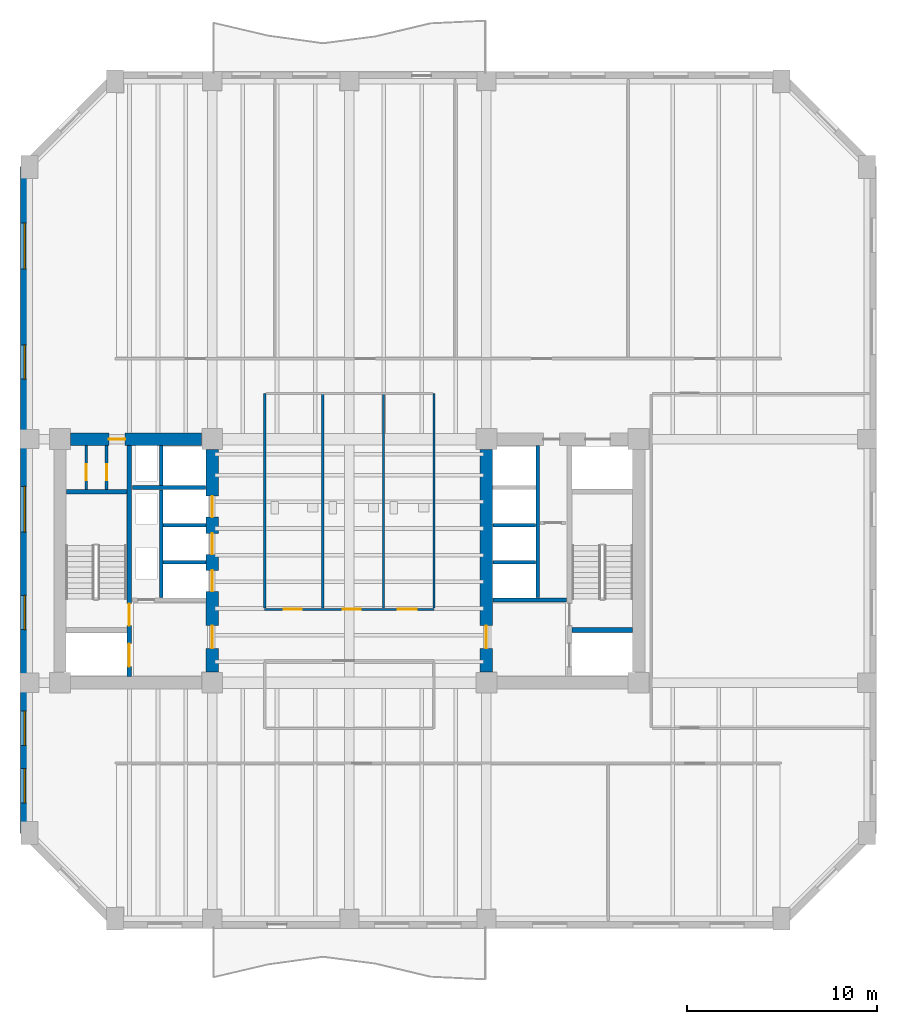
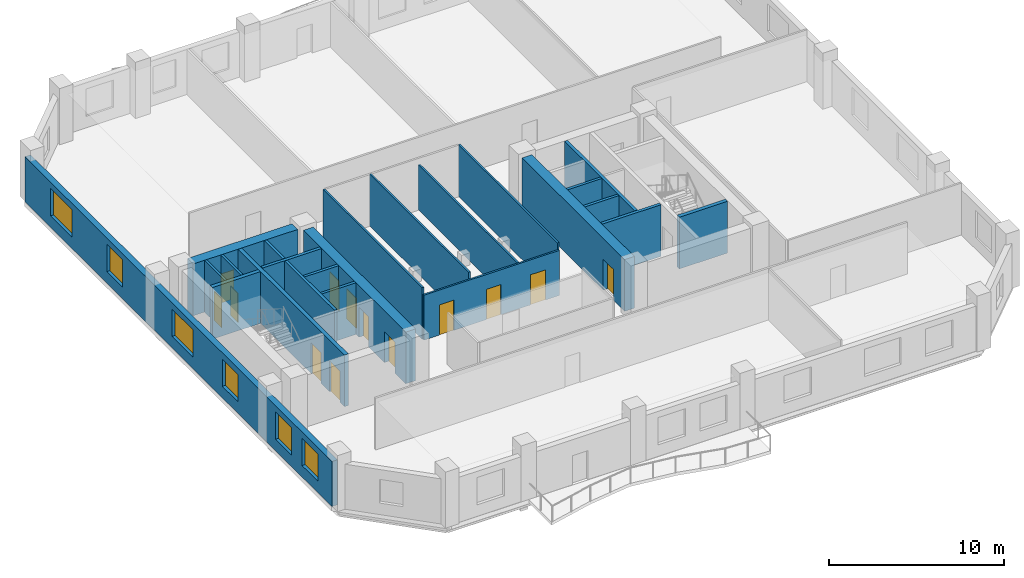
# One storey, part 3 of 8: 23 walls, 13 doors, 6 windows, 19 openings.
"""IFC4 building model written with IfcOpenShell, lengths in metres."""

from ifc_helpers import new_model, si_unit, direction, frame, frame_2d, origin, place, context, subcontext, project, spatial, rectangle, extrude, material, layer, layer_set, type_object, element, fill, save


model = new_model("IFC4")

# Units and contexts
model_context = context("Model", 3, precision=1e-05, world=origin(), true_north=direction((0.0, 1.0)))
body_context = subcontext(model_context, "Body", "Model", "MODEL_VIEW")
ifc_project = project(units=[si_unit("LENGTHUNIT", "METRE"), si_unit("AREAUNIT", "SQUARE_METRE"), si_unit("VOLUMEUNIT", "CUBIC_METRE"), si_unit("PLANEANGLEUNIT", "RADIAN"), si_unit("MASSUNIT", "GRAM", prefix="KILO")], contexts=[model_context])

# Site, building, storey
site_placement = place(None, origin())
site = spatial("IfcSite", under=ifc_project, at=site_placement, CompositionType="ELEMENT")
building_placement = place(site_placement, origin())
building = spatial("IfcBuilding", under=site, at=building_placement, Name="Kranthara Brick Stack", CompositionType="ELEMENT")
storey_placement = place(building_placement, frame((0.0, 0.0, 75.0)))
storey = spatial("IfcBuildingStorey", under=building, at=storey_placement, Name="L18", CompositionType="ELEMENT", Elevation=75.0)

# Wall, openings, windows
ifc_material_1 = material(Name="Kiln-fired clay brick masonry M15", Category="masonry")
ifc_layer_1 = layer(ifc_material_1, 0.3798828125)
ifc_layer_set_1 = layer_set([ifc_layer_1], Name="Kiln-fired clay brick masonry M15")
wall_type_1 = type_object("IfcWallType", Name="WL-BRK-PIER-380", PredefinedType="STANDARD", material=ifc_layer_set_1)
wall_1_placement = place(storey_placement, frame((10.909912109375, 12.89990234375, 0.0), z_axis=(0.0, 0.0, 1.0), x_axis=(0.0, 1.0, 0.0)))
wall_1 = element("IfcWall", 1, at=wall_1_placement, inside=storey, type_object=wall_type_1, Name="L18 Exterior Brick Facade Wall WEST 1", PredefinedType="STANDARD", context=body_context, shape_type="SweptSolid", body=[
    extrude(rectangle(XDim=35.0, YDim=0.3798828125, at=frame_2d((17.5, 0.0))), origin(), (0.0, 0.0, 1.0), 3.135009765625),
])
opening_1_placement = place(wall_1_placement, frame((1.587890625, 0.0, 0.800048828125)))
opening_1 = element("IfcOpeningElement", 2, at=opening_1_placement, cuts=wall_1, Name="Opening WN01", PredefinedType="OPENING", context=body_context, shape_type="SweptSolid", body=[
    extrude(rectangle(XDim=1.800048828125, YDim=1.89990234375, at=frame_2d((0.89990234375, 0.949951171875))), frame((0.0, 0.199951171875, 0.0), z_axis=(0.0, -1.0, 0.0), x_axis=(1.0, 0.0, 0.0)), (0.0, 0.0, 1.0), 0.39990234375),
])
opening_2_placement = place(wall_1_placement, frame((4.612060546875, 0.0, 0.800048828125)))
opening_2 = element("IfcOpeningElement", 3, at=opening_2_placement, cuts=wall_1, Name="Opening WN01", PredefinedType="OPENING", context=body_context, shape_type="SweptSolid", body=[
    extrude(rectangle(XDim=1.800048828125, YDim=1.89990234375, at=frame_2d((0.89990234375, 0.949951171875))), frame((0.0, 0.199951171875, 0.0), z_axis=(0.0, -1.0, 0.0), x_axis=(1.0, 0.0, 0.0)), (0.0, 0.0, 1.0), 0.39990234375),
])
opening_3_placement = place(wall_1_placement, frame((10.68798828125, 0.0, 0.800048828125)))
opening_3 = element("IfcOpeningElement", 4, at=opening_3_placement, cuts=wall_1, Name="Opening WN01", PredefinedType="OPENING", context=body_context, shape_type="SweptSolid", body=[
    extrude(rectangle(XDim=1.800048828125, YDim=1.89990234375, at=frame_2d((0.89990234375, 0.949951171875))), frame((0.0, 0.199951171875, 0.0), z_axis=(0.0, -1.0, 0.0), x_axis=(1.0, 0.0, 0.0)), (0.0, 0.0, 1.0), 0.39990234375),
])
opening_4_placement = place(wall_1_placement, frame((15.81201171875, 0.0, 0.800048828125)))
opening_4 = element("IfcOpeningElement", 5, at=opening_4_placement, cuts=wall_1, Name="Opening WN02", PredefinedType="OPENING", context=body_context, shape_type="SweptSolid", body=[
    extrude(rectangle(XDim=2.39990234375, YDim=1.89990234375, at=frame_2d((1.199951171875, 0.949951171875))), frame((0.0, 0.199951171875, 0.0), z_axis=(0.0, -1.0, 0.0), x_axis=(1.0, 0.0, 0.0)), (0.0, 0.0, 1.0), 0.39990234375),
])
opening_5_placement = place(wall_1_placement, frame((23.85205078125, 0.0, 0.800048828125)))
opening_5 = element("IfcOpeningElement", 6, at=opening_5_placement, cuts=wall_1, Name="Opening WN01", PredefinedType="OPENING", context=body_context, shape_type="SweptSolid", body=[
    extrude(rectangle(XDim=1.800048828125, YDim=1.89990234375, at=frame_2d((0.89990234375, 0.949951171875))), frame((0.0, 0.199951171875, 0.0), z_axis=(0.0, -1.0, 0.0), x_axis=(1.0, 0.0, 0.0)), (0.0, 0.0, 1.0), 0.39990234375),
])
opening_6_placement = place(wall_1_placement, frame((29.64794921875, 0.0, 0.800048828125)))
opening_6 = element("IfcOpeningElement", 7, at=opening_6_placement, cuts=wall_1, Name="Opening WN02", PredefinedType="OPENING", context=body_context, shape_type="SweptSolid", body=[
    extrude(rectangle(XDim=2.39990234375, YDim=1.89990234375, at=frame_2d((1.199951171875, 0.949951171875))), frame((0.0, 0.199951171875, 0.0), z_axis=(0.0, -1.0, 0.0), x_axis=(1.0, 0.0, 0.0)), (0.0, 0.0, 1.0), 0.39990234375),
])
ifc_material_2 = material(Name="Double-glazed low-E solar control glass", Category="glass")
window_type_1 = type_object("IfcWindowType", Name="WN-OFF-1800x2000", PartitioningType="SINGLE_PANEL", PredefinedType="WINDOW", material=ifc_material_2)
window_1_placement = place(opening_1_placement, origin())
window_1 = element("IfcWindow", 8, at=window_1_placement, inside=storey, type_object=window_type_1, Name="L18 West Deep-Set Brick Window 01", OverallHeight=1.89990234375, OverallWidth=1.800048828125, PartitioningType="SINGLE_PANEL", PredefinedType="WINDOW", context=body_context, shape_type="SweptSolid", body=[
    extrude(rectangle(XDim=1.800048828125, YDim=1.89990234375, at=frame_2d((0.89990234375, 0.949951171875))), frame((0.0, -0.010009765625, 0.0), z_axis=(0.0, -1.0, 0.0), x_axis=(1.0, 0.0, 0.0)), (0.0, 0.0, 1.0), 0.06005859375),
])
fill(opening_1, window_1)
window_2_placement = place(opening_2_placement, origin())
window_2 = element("IfcWindow", 9, at=window_2_placement, inside=storey, type_object=window_type_1, Name="L18 West Deep-Set Brick Window 02", OverallHeight=1.89990234375, OverallWidth=1.800048828125, PartitioningType="SINGLE_PANEL", PredefinedType="WINDOW", context=body_context, shape_type="SweptSolid", body=[
    extrude(rectangle(XDim=1.800048828125, YDim=1.89990234375, at=frame_2d((0.89990234375, 0.949951171875))), frame((0.0, -0.010009765625, 0.0), z_axis=(0.0, -1.0, 0.0), x_axis=(1.0, 0.0, 0.0)), (0.0, 0.0, 1.0), 0.06005859375),
])
fill(opening_2, window_2)
window_3_placement = place(opening_3_placement, origin())
window_3 = element("IfcWindow", 10, at=window_3_placement, inside=storey, type_object=window_type_1, Name="L18 West Deep-Set Brick Window 03", OverallHeight=1.89990234375, OverallWidth=1.800048828125, PartitioningType="SINGLE_PANEL", PredefinedType="WINDOW", context=body_context, shape_type="SweptSolid", body=[
    extrude(rectangle(XDim=1.800048828125, YDim=1.89990234375, at=frame_2d((0.89990234375, 0.949951171875))), frame((0.0, -0.010009765625, 0.0), z_axis=(0.0, -1.0, 0.0), x_axis=(1.0, 0.0, 0.0)), (0.0, 0.0, 1.0), 0.06005859375),
])
fill(opening_3, window_3)
window_4_placement = place(opening_5_placement, origin())
window_4 = element("IfcWindow", 11, at=window_4_placement, inside=storey, type_object=window_type_1, Name="L18 West Deep-Set Brick Window 05", OverallHeight=1.89990234375, OverallWidth=1.800048828125, PartitioningType="SINGLE_PANEL", PredefinedType="WINDOW", context=body_context, shape_type="SweptSolid", body=[
    extrude(rectangle(XDim=1.800048828125, YDim=1.89990234375, at=frame_2d((0.89990234375, 0.949951171875))), frame((0.0, -0.010009765625, 0.0), z_axis=(0.0, -1.0, 0.0), x_axis=(1.0, 0.0, 0.0)), (0.0, 0.0, 1.0), 0.06005859375),
])
fill(opening_5, window_4)
ifc_material_3 = material(Name="Double-glazed low-E solar control glass", Category="glass")
window_type_2 = type_object("IfcWindowType", Name="WN-OFF-2400x2000", PartitioningType="DOUBLE_PANEL_VERTICAL", PredefinedType="WINDOW", material=ifc_material_3)
window_5_placement = place(opening_4_placement, origin())
window_5 = element("IfcWindow", 12, at=window_5_placement, inside=storey, type_object=window_type_2, Name="L18 West Deep-Set Brick Window 04", OverallHeight=1.89990234375, OverallWidth=2.39990234375, PartitioningType="SINGLE_PANEL", PredefinedType="WINDOW", context=body_context, shape_type="SweptSolid", body=[
    extrude(rectangle(XDim=2.39990234375, YDim=1.89990234375, at=frame_2d((1.199951171875, 0.949951171875))), frame((0.0, -0.010009765625, 0.0), z_axis=(0.0, -1.0, 0.0), x_axis=(1.0, 0.0, 0.0)), (0.0, 0.0, 1.0), 0.06005859375),
])
fill(opening_4, window_5)
window_6_placement = place(opening_6_placement, origin())
window_6 = element("IfcWindow", 13, at=window_6_placement, inside=storey, type_object=window_type_2, Name="L18 West Deep-Set Brick Window 06", OverallHeight=1.89990234375, OverallWidth=2.39990234375, PartitioningType="SINGLE_PANEL", PredefinedType="WINDOW", context=body_context, shape_type="SweptSolid", body=[
    extrude(rectangle(XDim=2.39990234375, YDim=1.89990234375, at=frame_2d((1.199951171875, 0.949951171875))), frame((0.0, -0.010009765625, 0.0), z_axis=(0.0, -1.0, 0.0), x_axis=(1.0, 0.0, 0.0)), (0.0, 0.0, 1.0), 0.06005859375),
])
fill(opening_6, window_6)

# Wall, openings, doors
ifc_material_4 = material(Name="Concrete C50/60", Category="concrete")
ifc_layer_2 = layer(ifc_material_4, 0.25)
ifc_layer_set_2 = layer_set([ifc_layer_2], Name="Concrete C50/60")
wall_type_2 = type_object("IfcWallType", Name="WL-CORE-250", PredefinedType="SHEAR", material=ifc_layer_set_2)
wall_2_placement = place(storey_placement, frame((16.43505859375, 21.135009765625, 0.0), z_axis=(0.0, 0.0, 1.0), x_axis=(0.0, 1.0, 0.0)))
wall_2 = element("IfcWall", 14, at=wall_2_placement, inside=storey, type_object=wall_type_2, Name="L18 West Core Stair Bearing Spine Wall", PredefinedType="SHEAR", context=body_context, shape_type="SweptSolid", body=[
    extrude(rectangle(XDim=12.1298828125, YDim=0.25, at=frame_2d((6.06494140625, 0.0))), origin(), (0.0, 0.0, 1.0), 3.60009765625),
])
opening_7_placement = place(wall_2_placement, frame((0.514892578125, 0.0, 0.0)))
opening_7 = element("IfcOpeningElement", 15, at=opening_7_placement, cuts=wall_2, Name="Opening LD01", PredefinedType="OPENING", context=body_context, shape_type="SweptSolid", body=[
    extrude(rectangle(XDim=1.199951171875, YDim=2.14990234375, at=frame_2d((0.60009765625, 1.074951171875))), frame((0.0, 0.135009765625, 0.0), z_axis=(0.0, -1.0, 0.0), x_axis=(1.0, 0.0, 0.0)), (0.0, 0.0, 1.0), 0.27001953125),
])
opening_8_placement = place(wall_2_placement, frame((2.6650390625, 0.0, 0.0)))
opening_8 = element("IfcOpeningElement", 16, at=opening_8_placement, cuts=wall_2, Name="Opening D05", PredefinedType="OPENING", context=body_context, shape_type="SweptSolid", body=[
    extrude(rectangle(XDim=1.14990234375, YDim=2.14990234375, at=frame_2d((0.574951171875, 1.074951171875))), frame((0.0, 0.135009765625, 0.0), z_axis=(0.0, -1.0, 0.0), x_axis=(1.0, 0.0, 0.0)), (0.0, 0.0, 1.0), 0.27001953125),
])
ifc_material_5 = material(Name="Stainless steel sliding landing door", Category="steel")
door_type_1 = type_object("IfcDoorType", Name="DR-LD-FF1200", OperationType="DOUBLE_DOOR_SLIDING", PredefinedType="DOOR", material=ifc_material_5)
door_1_placement = place(opening_7_placement, origin())
door_1 = element("IfcDoor", 17, at=door_1_placement, inside=storey, type_object=door_type_1, Name="L18 Firefighting Lift FF-01 Landing Door", OperationType="DOUBLE_DOOR_SLIDING", OverallHeight=2.14990234375, OverallWidth=1.199951171875, PredefinedType="DOOR", context=body_context, shape_type="SweptSolid", body=[
    extrude(rectangle(XDim=1.199951171875, YDim=2.14990234375, at=frame_2d((0.60009765625, 1.074951171875))), frame((0.0, 0.02490234375, 0.0), z_axis=(0.0, -1.0, 0.0), x_axis=(1.0, 0.0, 0.0)), (0.0, 0.0, 1.0), 0.050048828125),
])
fill(opening_7, door_1)
ifc_material_6 = material(Name="Solid-core hardwood timber leaf in steel frame", Category="steel")
door_type_2 = type_object("IfcDoorType", Name="DR-ST-1150", OperationType="NOTDEFINED", PredefinedType="DOOR", material=ifc_material_6)
door_2_placement = place(opening_8_placement, origin())
door_2 = element("IfcDoor", 18, at=door_2_placement, inside=storey, type_object=door_type_2, Name="L18 Exit Stair ST01 Door", OperationType="SINGLE_SWING_RIGHT", OverallHeight=2.14990234375, OverallWidth=1.14990234375, PredefinedType="DOOR", context=body_context, shape_type="SweptSolid", body=[
    extrude(rectangle(XDim=1.14990234375, YDim=2.14990234375, at=frame_2d((0.574951171875, 1.074951171875))), frame((0.0, 0.02490234375, 0.0), z_axis=(0.0, -1.0, 0.0), x_axis=(1.0, 0.0, 0.0)), (0.0, 0.0, 1.0), 0.050048828125),
])
fill(opening_8, door_2)

# Walls
for number, where, z_axis, x_axis, name in (
    (19, (13.135009765625, 30.830078125, 0.0), (0.0, 0.0, 1.0), (1.0, 0.0, 0.0), "L18 West Stairwell Bearing Wall WST"),
    (20, (39.68994140625, 23.570068359375, 0.0), (0.0, 0.0, 1.0), (1.0, 0.0, 0.0), "L18 East Stairwell Bearing Wall EFF"),
):
    element("IfcWall", number, at=place(storey_placement, frame(where, z_axis=z_axis, x_axis=x_axis)), inside=storey, type_object=wall_type_2, Name=name, PredefinedType="SHEAR", context=body_context, shape_type="SweptSolid", body=[
        extrude(rectangle(XDim=3.175048828125, YDim=0.25, at=frame_2d((1.58740234375, 0.0))), origin(), (0.0, 0.0, 1.0), 3.60009765625),
    ])

# Wall, opening, door
ifc_material_7 = material(Name="Concrete C60/75", Category="concrete")
ifc_layer_3 = layer(ifc_material_7, 0.64990234375)
ifc_layer_set_3 = layer_set([ifc_layer_3], Name="Concrete C60/75")
wall_type_3 = type_object("IfcWallType", Name="WL-CORE-650", PredefinedType="SHEAR", material=ifc_layer_set_3)
wall_3_placement = place(storey_placement, frame((13.35498046875, 33.60009765625, 0.0), z_axis=(0.0, 0.0, 1.0), x_axis=(1.0, 0.0, 0.0)))
wall_3 = element("IfcWall", 21, at=wall_3_placement, inside=storey, type_object=wall_type_3, Name="L18 West Core Shear Wall North", PredefinedType="SHEAR", context=body_context, shape_type="SweptSolid", body=[
    extrude(rectangle(XDim=6.89013671875, YDim=0.64990234375, at=frame_2d((3.445068359375, 0.0))), origin(), (0.0, 0.0, 1.0), 3.60009765625),
])
opening_9_placement = place(wall_3_placement, frame((2.014892578125, 0.0, 0.0)))
opening_9 = element("IfcOpeningElement", 22, at=opening_9_placement, cuts=wall_3, Name="Opening D10", PredefinedType="OPENING", context=body_context, shape_type="SweptSolid", body=[
    extrude(rectangle(XDim=0.85009765625, YDim=2.02001953125, at=frame_2d((0.425048828125, 1.010009765625))), frame((0.0, 0.3349609375, 0.0), z_axis=(0.0, -1.0, 0.0), x_axis=(1.0, 0.0, 0.0)), (0.0, 0.0, 1.0), 0.669921875),
])
ifc_material_8 = material(Name="Solid-core hardwood timber leaf in steel frame", Category="steel")
door_type_3 = type_object("IfcDoorType", Name="DR-RSR-850", OperationType="NOTDEFINED", PredefinedType="DOOR", material=ifc_material_8)
door_3_placement = place(opening_9_placement, origin())
door_3 = element("IfcDoor", 23, at=door_3_placement, inside=storey, type_object=door_type_3, Name="L18 West Core Service Door 1", OperationType="SINGLE_SWING_RIGHT", OverallHeight=2.02001953125, OverallWidth=0.85009765625, PredefinedType="DOOR", context=body_context, shape_type="SweptSolid", body=[
    extrude(rectangle(XDim=0.85009765625, YDim=2.02001953125, at=frame_2d((0.425048828125, 1.010009765625))), frame((0.0, 0.02490234375, 0.0), z_axis=(0.0, -1.0, 0.0), x_axis=(1.0, 0.0, 0.0)), (0.0, 0.0, 1.0), 0.050048828125),
])
fill(opening_9, door_3)

# Wall, openings, doors
wall_4_placement = place(storey_placement, frame((20.800048828125, 21.35498046875, 0.0), z_axis=(0.0, 0.0, 1.0), x_axis=(0.0, 1.0, 0.0)))
wall_4 = element("IfcWall", 24, at=wall_4_placement, inside=storey, type_object=wall_type_3, Name="L18 West Core Shear Wall East", PredefinedType="SHEAR", context=body_context, shape_type="SweptSolid", body=[
    extrude(rectangle(XDim=11.68994140625, YDim=0.64990234375, at=frame_2d((5.844970703125, 0.0))), origin(), (0.0, 0.0, 1.0), 3.60009765625),
])
opening_10_placement = place(wall_4_placement, frame((1.2451171875, 0.0, 0.0)))
opening_10 = element("IfcOpeningElement", 25, at=opening_10_placement, cuts=wall_4, Name="Opening D06", PredefinedType="OPENING", context=body_context, shape_type="SweptSolid", body=[
    extrude(rectangle(XDim=1.199951171875, YDim=2.14990234375, at=frame_2d((0.60009765625, 1.074951171875))), frame((0.0, 0.3349609375, 0.0), z_axis=(0.0, -1.0, 0.0), x_axis=(1.0, 0.0, 0.0)), (0.0, 0.0, 1.0), 0.669921875),
])
opening_11_placement = place(wall_4_placement, frame((4.2451171875, 0.0, 0.0)))
opening_11 = element("IfcOpeningElement", 26, at=opening_11_placement, cuts=wall_4, Name="Opening LD02", PredefinedType="OPENING", context=body_context, shape_type="SweptSolid", body=[
    extrude(rectangle(XDim=1.10009765625, YDim=2.10009765625, at=frame_2d((0.550048828125, 1.050048828125))), frame((0.0, 0.3349609375, 0.0), z_axis=(0.0, -1.0, 0.0), x_axis=(1.0, 0.0, 0.0)), (0.0, 0.0, 1.0), 0.669921875),
])
opening_12_placement = place(wall_4_placement, frame((6.195068359375, 0.0, 0.0)))
opening_12 = element("IfcOpeningElement", 27, at=opening_12_placement, cuts=wall_4, Name="Opening LD02", PredefinedType="OPENING", context=body_context, shape_type="SweptSolid", body=[
    extrude(rectangle(XDim=1.10009765625, YDim=2.10009765625, at=frame_2d((0.550048828125, 1.050048828125))), frame((0.0, 0.3349609375, 0.0), z_axis=(0.0, -1.0, 0.0), x_axis=(1.0, 0.0, 0.0)), (0.0, 0.0, 1.0), 0.669921875),
])
opening_13_placement = place(wall_4_placement, frame((8.14501953125, 0.0, 0.0)))
opening_13 = element("IfcOpeningElement", 28, at=opening_13_placement, cuts=wall_4, Name="Opening LD02", PredefinedType="OPENING", context=body_context, shape_type="SweptSolid", body=[
    extrude(rectangle(XDim=1.10009765625, YDim=2.10009765625, at=frame_2d((0.550048828125, 1.050048828125))), frame((0.0, 0.3349609375, 0.0), z_axis=(0.0, -1.0, 0.0), x_axis=(1.0, 0.0, 0.0)), (0.0, 0.0, 1.0), 0.669921875),
])
ifc_material_9 = material(Name="Solid-core hardwood timber leaf in steel frame", Category="steel")
door_type_4 = type_object("IfcDoorType", Name="DR-FFL-1200", OperationType="NOTDEFINED", PredefinedType="DOOR", material=ifc_material_9)
door_4_placement = place(opening_10_placement, origin())
door_4 = element("IfcDoor", 29, at=door_4_placement, inside=storey, type_object=door_type_4, Name="L18 West Firefighting Lobby Door", OperationType="SINGLE_SWING_LEFT", OverallHeight=2.14990234375, OverallWidth=1.199951171875, PredefinedType="DOOR", context=body_context, shape_type="SweptSolid", body=[
    extrude(rectangle(XDim=1.199951171875, YDim=2.14990234375, at=frame_2d((0.60009765625, 1.074951171875))), frame((0.0, 0.02490234375, 0.0), z_axis=(0.0, -1.0, 0.0), x_axis=(1.0, 0.0, 0.0)), (0.0, 0.0, 1.0), 0.050048828125),
])
fill(opening_10, door_4)
ifc_material_10 = material(Name="Stainless steel sliding landing door", Category="steel")
door_type_5 = type_object("IfcDoorType", Name="DR-LD-PL1100", OperationType="DOUBLE_DOOR_SLIDING", PredefinedType="DOOR", material=ifc_material_10)
door_5_placement = place(opening_11_placement, origin())
door_5 = element("IfcDoor", 30, at=door_5_placement, inside=storey, type_object=door_type_5, Name="L18 PL-01 Lift Landing Door", OperationType="DOUBLE_DOOR_SLIDING", OverallHeight=2.10009765625, OverallWidth=1.10009765625, PredefinedType="DOOR", context=body_context, shape_type="SweptSolid", body=[
    extrude(rectangle(XDim=1.10009765625, YDim=2.10009765625, at=frame_2d((0.550048828125, 1.050048828125))), frame((0.0, 0.02490234375, 0.0), z_axis=(0.0, -1.0, 0.0), x_axis=(1.0, 0.0, 0.0)), (0.0, 0.0, 1.0), 0.050048828125),
])
fill(opening_11, door_5)
door_6_placement = place(opening_12_placement, origin())
door_6 = element("IfcDoor", 31, at=door_6_placement, inside=storey, type_object=door_type_5, Name="L18 PL-02 Lift Landing Door", OperationType="DOUBLE_DOOR_SLIDING", OverallHeight=2.10009765625, OverallWidth=1.10009765625, PredefinedType="DOOR", context=body_context, shape_type="SweptSolid", body=[
    extrude(rectangle(XDim=1.10009765625, YDim=2.10009765625, at=frame_2d((0.550048828125, 1.050048828125))), frame((0.0, 0.02490234375, 0.0), z_axis=(0.0, -1.0, 0.0), x_axis=(1.0, 0.0, 0.0)), (0.0, 0.0, 1.0), 0.050048828125),
])
fill(opening_12, door_6)
door_7_placement = place(opening_13_placement, origin())
door_7 = element("IfcDoor", 32, at=door_7_placement, inside=storey, type_object=door_type_5, Name="L18 PL-03 Lift Landing Door", OperationType="DOUBLE_DOOR_SLIDING", OverallHeight=2.10009765625, OverallWidth=1.10009765625, PredefinedType="DOOR", context=body_context, shape_type="SweptSolid", body=[
    extrude(rectangle(XDim=1.10009765625, YDim=2.10009765625, at=frame_2d((0.550048828125, 1.050048828125))), frame((0.0, 0.02490234375, 0.0), z_axis=(0.0, -1.0, 0.0), x_axis=(1.0, 0.0, 0.0)), (0.0, 0.0, 1.0), 0.050048828125),
])
fill(opening_13, door_7)

# Wall, opening, door
wall_5_placement = place(storey_placement, frame((35.199951171875, 21.35498046875, 0.0), z_axis=(0.0, 0.0, 1.0), x_axis=(0.0, 1.0, 0.0)))
wall_5 = element("IfcWall", 33, at=wall_5_placement, inside=storey, type_object=wall_type_3, Name="L18 East Core Shear Wall West", PredefinedType="SHEAR", context=body_context, shape_type="SweptSolid", body=[
    extrude(rectangle(XDim=11.68994140625, YDim=0.64990234375, at=frame_2d((5.844970703125, 0.0))), origin(), (0.0, 0.0, 1.0), 3.60009765625),
])
opening_14_placement = place(wall_5_placement, frame((1.2451171875, 0.0, 0.0)))
opening_14 = element("IfcOpeningElement", 34, at=opening_14_placement, cuts=wall_5, Name="Opening D06", PredefinedType="OPENING", context=body_context, shape_type="SweptSolid", body=[
    extrude(rectangle(XDim=1.199951171875, YDim=2.14990234375, at=frame_2d((0.60009765625, 1.074951171875))), frame((0.0, 0.3349609375, 0.0), z_axis=(0.0, -1.0, 0.0), x_axis=(1.0, 0.0, 0.0)), (0.0, 0.0, 1.0), 0.669921875),
])
door_8_placement = place(opening_14_placement, origin())
door_8 = element("IfcDoor", 35, at=door_8_placement, inside=storey, type_object=door_type_4, Name="L18 East Firefighting Lobby Door", OperationType="SINGLE_SWING_RIGHT", OverallHeight=2.14990234375, OverallWidth=1.199951171875, PredefinedType="DOOR", context=body_context, shape_type="SweptSolid", body=[
    extrude(rectangle(XDim=1.199951171875, YDim=2.14990234375, at=frame_2d((0.60009765625, 1.074951171875))), frame((0.0, 0.02490234375, 0.0), z_axis=(0.0, -1.0, 0.0), x_axis=(1.0, 0.0, 0.0)), (0.0, 0.0, 1.0), 0.050048828125),
])
fill(opening_14, door_8)

# Wall, openings, doors
ifc_material_11 = material(Name="Acoustic gypsum plasterboard partition", Category="other")
ifc_layer_4 = layer(ifc_material_11, 0.1201171875)
ifc_layer_set_4 = layer_set([ifc_layer_4], Name="Acoustic gypsum plasterboard partition")
wall_type_4 = type_object("IfcWallType", Name="WL-PART-120", PredefinedType="PARTITIONING", material=ifc_layer_set_4)
wall_6_placement = place(storey_placement, frame((23.550048828125, 24.64990234375, 0.0), z_axis=(0.0, 0.0, 1.0), x_axis=(1.0, 0.0, 0.0)))
wall_6 = element("IfcWall", 36, at=wall_6_placement, inside=storey, type_object=wall_type_4, Name="L18 Interior Partition 004", PredefinedType="PARTITIONING", context=body_context, shape_type="SweptSolid", body=[
    extrude(rectangle(XDim=8.89990234375, YDim=0.1201171875, at=frame_2d((4.449951171875, 0.0))), origin(), (0.0, 0.0, 1.0), 3.135009765625),
])
opening_15_placement = place(wall_6_placement, frame((1.0, 0.0, 0.0)))
opening_15 = element("IfcOpeningElement", 37, at=opening_15_placement, cuts=wall_6, Name="Opening D14", PredefinedType="OPENING", context=body_context, shape_type="SweptSolid", body=[
    extrude(rectangle(XDim=0.949951171875, YDim=2.10009765625, at=frame_2d((0.47509765625, 1.050048828125))), frame((0.0, 0.070068359375, 0.0), z_axis=(0.0, -1.0, 0.0), x_axis=(1.0, 0.0, 0.0)), (0.0, 0.0, 1.0), 0.14013671875),
])
opening_16_placement = place(wall_6_placement, frame((4.10009765625, 0.0, 0.0)))
opening_16 = element("IfcOpeningElement", 38, at=opening_16_placement, cuts=wall_6, Name="Opening D14", PredefinedType="OPENING", context=body_context, shape_type="SweptSolid", body=[
    extrude(rectangle(XDim=0.949951171875, YDim=2.10009765625, at=frame_2d((0.47509765625, 1.050048828125))), frame((0.0, 0.070068359375, 0.0), z_axis=(0.0, -1.0, 0.0), x_axis=(1.0, 0.0, 0.0)), (0.0, 0.0, 1.0), 0.14013671875),
])
opening_17_placement = place(wall_6_placement, frame((7.0, 0.0, 0.0)))
opening_17 = element("IfcOpeningElement", 39, at=opening_17_placement, cuts=wall_6, Name="Opening D18", PredefinedType="OPENING", context=body_context, shape_type="SweptSolid", body=[
    extrude(rectangle(XDim=1.0, YDim=2.10009765625, at=frame_2d((0.5, 1.050048828125))), frame((0.0, 0.070068359375, 0.0), z_axis=(0.0, -1.0, 0.0), x_axis=(1.0, 0.0, 0.0)), (0.0, 0.0, 1.0), 0.14013671875),
])
ifc_material_12 = material(Name="Solid-core hardwood timber leaf in steel frame", Category="steel")
door_type_6 = type_object("IfcDoorType", Name="DR-ACC-1000", OperationType="NOTDEFINED", PredefinedType="DOOR", material=ifc_material_12)
door_9_placement = place(opening_17_placement, origin())
door_9 = element("IfcDoor", 40, at=door_9_placement, inside=storey, type_object=door_type_6, Name="L18 Accessible WC Door 06", OperationType="SINGLE_SWING_RIGHT", OverallHeight=2.10009765625, OverallWidth=1.0, PredefinedType="DOOR", context=body_context, shape_type="SweptSolid", body=[
    extrude(rectangle(XDim=1.0, YDim=2.10009765625, at=frame_2d((0.5, 1.050048828125))), frame((0.0, 0.02490234375, 0.0), z_axis=(0.0, -1.0, 0.0), x_axis=(1.0, 0.0, 0.0)), (0.0, 0.0, 1.0), 0.050048828125),
])
fill(opening_17, door_9)
ifc_material_13 = material(Name="Solid-core hardwood timber leaf in steel frame", Category="steel")
door_type_7 = type_object("IfcDoorType", Name="DR-INT-950", OperationType="NOTDEFINED", PredefinedType="DOOR", material=ifc_material_13)
door_10_placement = place(opening_15_placement, origin())
door_10 = element("IfcDoor", 41, at=door_10_placement, inside=storey, type_object=door_type_7, Name="L18 Male WC Door 04", OperationType="SINGLE_SWING_RIGHT", OverallHeight=2.10009765625, OverallWidth=0.949951171875, PredefinedType="DOOR", context=body_context, shape_type="SweptSolid", body=[
    extrude(rectangle(XDim=0.949951171875, YDim=2.10009765625, at=frame_2d((0.47509765625, 1.050048828125))), frame((0.0, 0.02490234375, 0.0), z_axis=(0.0, -1.0, 0.0), x_axis=(1.0, 0.0, 0.0)), (0.0, 0.0, 1.0), 0.050048828125),
])
fill(opening_15, door_10)
door_11_placement = place(opening_16_placement, origin())
door_11 = element("IfcDoor", 42, at=door_11_placement, inside=storey, type_object=door_type_7, Name="L18 Female WC Door 05", OperationType="SINGLE_SWING_LEFT", OverallHeight=2.10009765625, OverallWidth=0.949951171875, PredefinedType="DOOR", context=body_context, shape_type="SweptSolid", body=[
    extrude(rectangle(XDim=0.949951171875, YDim=2.10009765625, at=frame_2d((0.47509765625, 1.050048828125))), frame((0.0, 0.02490234375, 0.0), z_axis=(0.0, -1.0, 0.0), x_axis=(1.0, 0.0, 0.0)), (0.0, 0.0, 1.0), 0.050048828125),
])
fill(opening_16, door_11)

# Walls
for number, where, z_axis, x_axis, name in (
    (43, (23.550048828125, 24.715087890625, 0.0), (0.0, 0.0, 1.0), (0.0, 1.0, 0.0), "L18 Interior Partition 005"),
    (44, (32.449951171875, 24.715087890625, 0.0), (0.0, 0.0, 1.0), (0.0, 1.0, 0.0), "L18 Interior Partition 006"),
    (45, (26.60009765625, 24.715087890625, 0.0), (0.0, 0.0, 1.0), (0.0, 1.0, 0.0), "L18 Interior Partition 007"),
):
    element("IfcWall", number, at=place(storey_placement, frame(where, z_axis=z_axis, x_axis=x_axis)), inside=storey, type_object=wall_type_4, Name=name, PredefinedType="PARTITIONING", context=body_context, shape_type="SweptSolid", body=[
        extrude(rectangle(XDim=11.284912109375, YDim=0.1201171875, at=frame_2d((5.642578125, 0.0))), origin(), (0.0, 0.0, 1.0), 3.60009765625),
    ])
wall_7_placement = place(storey_placement, frame((29.800048828125, 24.715087890625, 0.0), z_axis=(0.0, 0.0, 1.0), x_axis=(0.0, 1.0, 0.0)))
element("IfcWall", 46, at=wall_7_placement, inside=storey, type_object=wall_type_4, Name="L18 Interior Partition 008", PredefinedType="PARTITIONING", context=body_context, shape_type="SweptSolid", body=[
    extrude(rectangle(XDim=11.284912109375, YDim=0.1201171875, at=frame_2d((5.642578125, 0.0))), origin(), (0.0, 0.0, 1.0), 3.135009765625),
])

# Wall, opening, door
ifc_material_14 = material(Name="Fire-rated gypsum board partition", Category="other")
ifc_layer_5 = layer(ifc_material_14, 0.14990234375)
ifc_layer_set_5 = layer_set([ifc_layer_5], Name="Fire-rated gypsum board partition")
wall_type_5 = type_object("IfcWallType", Name="WL-PART-150", PredefinedType="PARTITIONING", material=ifc_layer_set_5)
wall_8_placement = place(storey_placement, frame((14.179931640625, 30.9599609375, 0.0), z_axis=(0.0, 0.0, 1.0), x_axis=(0.0, 1.0, 0.0)))
wall_8 = element("IfcWall", 47, at=wall_8_placement, inside=storey, type_object=wall_type_5, Name="L18 Interior Partition 001", PredefinedType="PARTITIONING", context=body_context, shape_type="SweptSolid", body=[
    extrude(rectangle(XDim=2.31005859375, YDim=0.14990234375, at=frame_2d((1.155029296875, 0.0))), origin(), (0.0, 0.0, 1.0), 3.60009765625),
])
opening_18_placement = place(wall_8_placement, frame((0.469970703125, 0.0, 0.0)))
opening_18 = element("IfcOpeningElement", 48, at=opening_18_placement, cuts=wall_8, Name="Opening D10", PredefinedType="OPENING", context=body_context, shape_type="SweptSolid", body=[
    extrude(rectangle(XDim=0.85009765625, YDim=2.02001953125, at=frame_2d((0.425048828125, 1.010009765625))), frame((0.0, 0.0849609375, 0.0), z_axis=(0.0, -1.0, 0.0), x_axis=(1.0, 0.0, 0.0)), (0.0, 0.0, 1.0), 0.169921875),
])
door_12_placement = place(opening_18_placement, origin())
door_12 = element("IfcDoor", 49, at=door_12_placement, inside=storey, type_object=door_type_3, Name="L18 Riser Door A 01", OperationType="SINGLE_SWING_LEFT", OverallHeight=2.02001953125, OverallWidth=0.85009765625, PredefinedType="DOOR", context=body_context, shape_type="SweptSolid", body=[
    extrude(rectangle(XDim=0.85009765625, YDim=2.02001953125, at=frame_2d((0.425048828125, 1.010009765625))), frame((0.0, 0.02490234375, 0.0), z_axis=(0.0, -1.0, 0.0), x_axis=(1.0, 0.0, 0.0)), (0.0, 0.0, 1.0), 0.050048828125),
])
fill(opening_18, door_12)

wall_9_placement = place(storey_placement, frame((15.25, 30.9599609375, 0.0), z_axis=(0.0, 0.0, 1.0), x_axis=(0.0, 1.0, 0.0)))
wall_9 = element("IfcWall", 50, at=wall_9_placement, inside=storey, type_object=wall_type_5, Name="L18 Interior Partition 002", PredefinedType="PARTITIONING", context=body_context, shape_type="SweptSolid", body=[
    extrude(rectangle(XDim=2.31005859375, YDim=0.14990234375, at=frame_2d((1.155029296875, 0.0))), origin(), (0.0, 0.0, 1.0), 3.60009765625),
])
opening_19_placement = place(wall_9_placement, frame((0.469970703125, 0.0, 0.0)))
opening_19 = element("IfcOpeningElement", 51, at=opening_19_placement, cuts=wall_9, Name="Opening D10", PredefinedType="OPENING", context=body_context, shape_type="SweptSolid", body=[
    extrude(rectangle(XDim=0.85009765625, YDim=2.02001953125, at=frame_2d((0.425048828125, 1.010009765625))), frame((0.0, 0.0849609375, 0.0), z_axis=(0.0, -1.0, 0.0), x_axis=(1.0, 0.0, 0.0)), (0.0, 0.0, 1.0), 0.169921875),
])
door_13_placement = place(opening_19_placement, origin())
door_13 = element("IfcDoor", 52, at=door_13_placement, inside=storey, type_object=door_type_3, Name="L18 Riser Door B 02", OperationType="SINGLE_SWING_RIGHT", OverallHeight=2.02001953125, OverallWidth=0.85009765625, PredefinedType="DOOR", context=body_context, shape_type="SweptSolid", body=[
    extrude(rectangle(XDim=0.85009765625, YDim=2.02001953125, at=frame_2d((0.425048828125, 1.010009765625))), frame((0.0, 0.02490234375, 0.0), z_axis=(0.0, -1.0, 0.0), x_axis=(1.0, 0.0, 0.0)), (0.0, 0.0, 1.0), 0.050048828125),
])
fill(opening_19, door_13)

# Walls
ifc_material_15 = material(Name="Gypsum plasterboard on acoustic twin stud", Category="other")
ifc_layer_6 = layer(ifc_material_15, 0.179931640625)
ifc_layer_set_6 = layer_set([ifc_layer_6], Name="Gypsum plasterboard on acoustic twin stud")
wall_type_6 = type_object("IfcWallType", Name="WL-PART-180", PredefinedType="PARTITIONING", material=ifc_layer_set_6)
wall_10_placement = place(storey_placement, frame((18.1201171875, 25.27001953125, 0.0), z_axis=(0.0, 0.0, 1.0), x_axis=(0.0, 1.0, 0.0)))
element("IfcWall", 53, at=wall_10_placement, inside=storey, type_object=wall_type_6, Name="L18 West Hoistway Wall WBK", PredefinedType="PARTITIONING", context=body_context, shape_type="SweptSolid", body=[
    extrude(rectangle(XDim=5.659912109375, YDim=0.179931640625, at=frame_2d((2.830078125, 0.0))), origin(), (0.0, 0.0, 1.0), 3.60009765625),
])
wall_11_placement = place(storey_placement, frame((18.1201171875, 31.169921875, 0.0), z_axis=(0.0, 0.0, 1.0), x_axis=(0.0, 1.0, 0.0)))
element("IfcWall", 54, at=wall_11_placement, inside=storey, type_object=wall_type_6, Name="L18 West Hoistway Wall WBK7", PredefinedType="PARTITIONING", context=body_context, shape_type="SweptSolid", body=[
    extrude(rectangle(XDim=2.094970703125, YDim=0.179931640625, at=frame_2d((1.04736328125, 0.0))), origin(), (0.0, 0.0, 1.0), 3.60009765625),
])
for number, where, z_axis, x_axis, name in (
    (55, (18.219970703125, 27.1201171875, 0.0), (0.0, 0.0, 1.0), (1.0, 0.0, 0.0), "L18 West Hoistway Wall WH1"),
    (56, (18.219970703125, 29.080078125, 0.0), (0.0, 0.0, 1.0), (1.0, 0.0, 0.0), "L18 West Hoistway Wall WH2"),
    (57, (35.534912109375, 27.1201171875, 0.0), (0.0, 0.0, 1.0), (1.0, 0.0, 0.0), "L18 East Hoistway Wall EH1"),
    (58, (35.534912109375, 29.080078125, 0.0), (0.0, 0.0, 1.0), (1.0, 0.0, 0.0), "L18 East Hoistway Wall EH2"),
):
    element("IfcWall", number, at=place(storey_placement, frame(where, z_axis=z_axis, x_axis=x_axis)), inside=storey, type_object=wall_type_6, Name=name, PredefinedType="PARTITIONING", context=body_context, shape_type="SweptSolid", body=[
        extrude(rectangle(XDim=2.2451171875, YDim=0.179931640625, at=frame_2d((1.12255859375, 0.0))), origin(), (0.0, 0.0, 1.0), 3.60009765625),
    ])
ifc_material_16 = material(Name="Concrete C40/50", Category="concrete")
ifc_layer_7 = layer(ifc_material_16, 0.199951171875)
ifc_layer_set_7 = layer_set([ifc_layer_7], Name="Concrete C40/50")
wall_type_7 = type_object("IfcWallType", Name="WL-PART-200", PredefinedType="SOLIDWALL", material=ifc_layer_set_7)
wall_12_placement = place(storey_placement, frame((16.60009765625, 31.050048828125, 0.0), z_axis=(0.0, 0.0, 1.0), x_axis=(1.0, 0.0, 0.0)))
element("IfcWall", 59, at=wall_12_placement, inside=storey, type_object=wall_type_7, Name="L18 West Core Cross Wall WH4", PredefinedType="SOLIDWALL", context=body_context, shape_type="SweptSolid", body=[
    extrude(rectangle(XDim=3.849853515625, YDim=0.199951171875, at=frame_2d((1.9248046875, 0.0))), origin(), (0.0, 0.0, 1.0), 3.60009765625),
])
wall_13_placement = place(storey_placement, frame((35.534912109375, 25.14990234375, 0.0), z_axis=(0.0, 0.0, 1.0), x_axis=(1.0, 0.0, 0.0)))
element("IfcWall", 60, at=wall_13_placement, inside=storey, type_object=wall_type_7, Name="L18 East Core Cross Wall EFL", PredefinedType="SOLIDWALL", context=body_context, shape_type="SweptSolid", body=[
    extrude(rectangle(XDim=3.864990234375, YDim=0.199951171875, at=frame_2d((1.9326171875, 0.0))), origin(), (0.0, 0.0, 1.0), 3.60009765625),
])
wall_14_placement = place(storey_placement, frame((37.89990234375, 25.27001953125, 0.0), z_axis=(0.0, 0.0, 1.0), x_axis=(0.0, 1.0, 0.0)))
element("IfcWall", 61, at=wall_14_placement, inside=storey, type_object=wall_type_7, Name="L18 East Core Cross Wall ESV", PredefinedType="SOLIDWALL", context=body_context, shape_type="SweptSolid", body=[
    extrude(rectangle(XDim=7.994873046875, YDim=0.199951171875, at=frame_2d((3.99755859375, 0.0))), origin(), (0.0, 0.0, 1.0), 3.60009765625),
])

save(model, "model.ifc")
